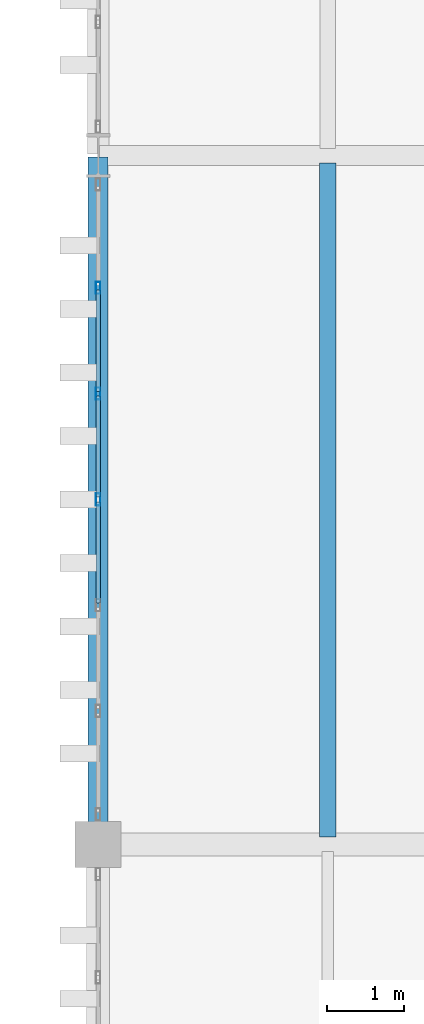
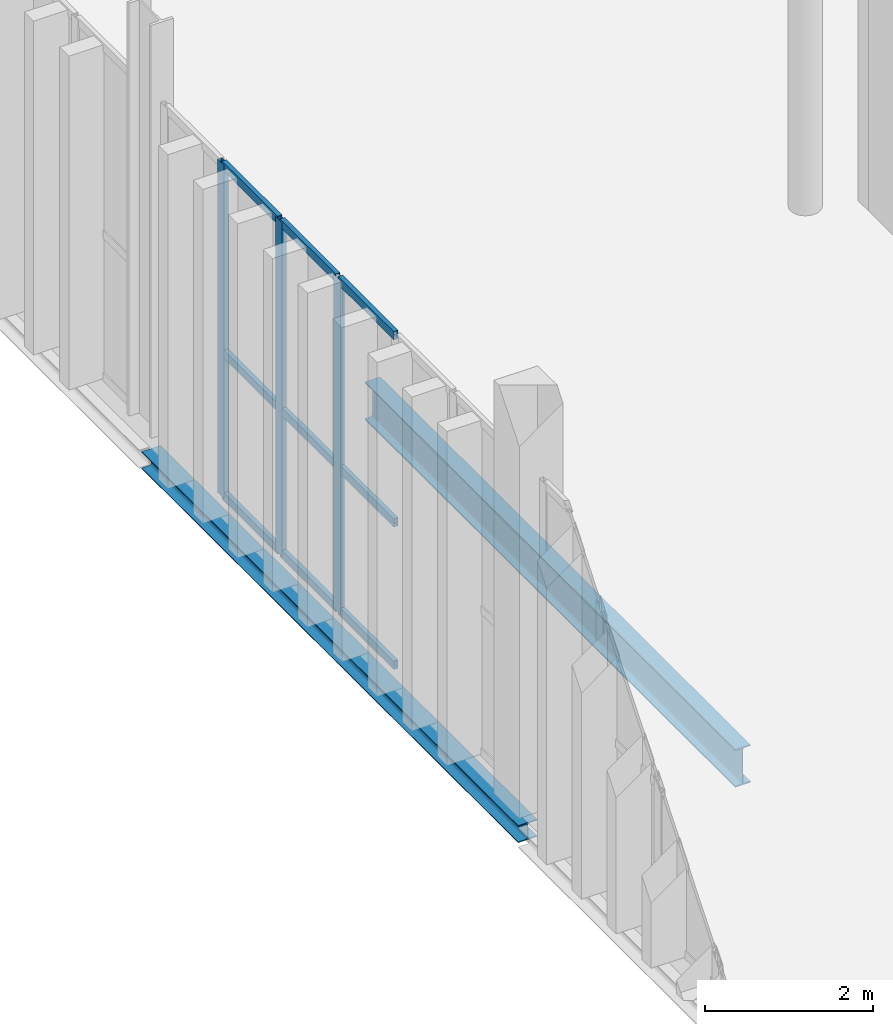
# One storey, part 144 of 237: 12 members, 2 beams, 1 element without a shape of its own.
"""IFC4 building model written with IfcOpenShell, lengths in metres."""

from ifc_helpers import new_model, si_unit, direction, frame, origin, origin_2d, place, context, subcontext, project, spatial, hollow_rectangle, i_section, extrude, material, layer, layer_set, material_profile, profile_set, type_object, element, aggregate, save


model = new_model("IFC4")

# Units and contexts
model_context = context("Model", 3, precision=1e-05, world=origin(), true_north=direction((0.0, 1.0)))
body_context = subcontext(model_context, "Body", "Model", "MODEL_VIEW")
ifc_project = project(units=[si_unit("LENGTHUNIT", "METRE"), si_unit("AREAUNIT", "SQUARE_METRE"), si_unit("VOLUMEUNIT", "CUBIC_METRE"), si_unit("PLANEANGLEUNIT", "RADIAN"), si_unit("MASSUNIT", "GRAM", prefix="KILO")], contexts=[model_context])

# Site, building, storey
site_placement = place(None, origin())
site = spatial("IfcSite", under=ifc_project, at=site_placement, CompositionType="ELEMENT")
building_placement = place(site_placement, origin())
building = spatial("IfcBuilding", under=site, at=building_placement, Name="Barlavento Convention Centre", CompositionType="ELEMENT")
storey_placement = place(building_placement, frame((0.0, 0.0, 12.0)))
storey = spatial("IfcBuildingStorey", under=building, at=storey_placement, Name="L02", CompositionType="ELEMENT", Elevation=12.0)

# Curtain wall, members
ifc_material_1 = material(Name="Powder-coated aluminium and Low-E glass", Category="aluminium")
ifc_layer = layer(ifc_material_1, 0.195068359375)
ifc_layer_set = layer_set([ifc_layer], Name="ARC-CW-PATIO-A")
curtain_wall_type = type_object("IfcCurtainWallType", Name="ARC-CW-PATIO-A", PredefinedType="NOTDEFINED", material=ifc_layer_set)
curtain_wall_placement = place(storey_placement, origin())
curtain_wall = element("IfcCurtainWall", 1, at=curtain_wall_placement, inside=storey, type_object=curtain_wall_type, Name="L02 unitised curtain wall CW11", PredefinedType="NOTDEFINED")
ifc_material_2 = material(Name="Powder-coated aluminium", Category="aluminium")
ifc_material_profile_1 = material_profile(ifc_material_2, hollow_rectangle(XDim=0.06005859375, YDim=0.159912109375, WallThickness=0.00390625, at=origin_2d()), Name="AL-MULL 60x160x4")
ifc_profile_set_1 = profile_set([ifc_material_profile_1], Name="Powder-coated aluminium")
member_type_1 = type_object("IfcMemberType", Name="ARC-CWM-60X160", PredefinedType="MULLION", material=ifc_profile_set_1)
member_1_placement = place(storey_placement, frame((171.0, 76.507080078125, 0.0), z_axis=(0.0, 0.0, 1.0), x_axis=(-1.0, 0.0, 0.0)))
member_1 = element("IfcMember", 2, at=member_1_placement, type_object=member_type_1, Name="CW11 mullion 4", PredefinedType="MULLION", context=body_context, shape_type="SweptSolid", body=[
    extrude(hollow_rectangle(XDim=0.06005859375, YDim=0.159912109375, WallThickness=0.00390625, at=origin_2d()), origin(), (0.0, 0.0, 1.0), 4.85009765625),
])
member_2_placement = place(storey_placement, frame((171.0, 77.889404296875, 0.0), z_axis=(0.0, 0.0, 1.0), x_axis=(-1.0, 0.0, 0.0)))
member_2 = element("IfcMember", 3, at=member_2_placement, type_object=member_type_1, Name="CW11 mullion 5", PredefinedType="MULLION", context=body_context, shape_type="SweptSolid", body=[
    extrude(hollow_rectangle(XDim=0.06005859375, YDim=0.159912109375, WallThickness=0.00390625, at=origin_2d()), origin(), (0.0, 0.0, 1.0), 4.85009765625),
])
member_3_placement = place(storey_placement, frame((171.0, 79.271728515625, 0.0), z_axis=(0.0, 0.0, 1.0), x_axis=(-1.0, 0.0, 0.0)))
member_3 = element("IfcMember", 4, at=member_3_placement, type_object=member_type_1, Name="CW11 mullion 6", PredefinedType="MULLION", context=body_context, shape_type="SweptSolid", body=[
    extrude(hollow_rectangle(XDim=0.06005859375, YDim=0.159912109375, WallThickness=0.00390625, at=origin_2d()), origin(), (0.0, 0.0, 1.0), 4.85009765625),
])
ifc_material_profile_2 = material_profile(ifc_material_2, hollow_rectangle(XDim=0.06005859375, YDim=0.1201171875, WallThickness=0.00390625, at=origin_2d()), Name="AL-TRAN 60x120x4")
ifc_profile_set_2 = profile_set([ifc_material_profile_2], Name="Powder-coated aluminium")
member_type_2 = type_object("IfcMemberType", Name="ARC-CWT-60X120", PredefinedType="USERDEFINED", material=ifc_profile_set_2)
member_4_placement = place(storey_placement, frame((171.0, 75.15478515625, 0.030029296875), z_axis=(0.0, 1.0, 0.0), x_axis=(-1.0, 0.0, 0.0)))
member_4 = element("IfcMember", 5, at=member_4_placement, type_object=member_type_2, Name="CW11 transom 3.1", ObjectType="TRANSOM", PredefinedType="USERDEFINED", context=body_context, shape_type="SweptSolid", body=[
    extrude(hollow_rectangle(XDim=0.06005859375, YDim=0.1201171875, WallThickness=0.00390625, at=origin_2d()), origin(), (0.0, 0.0, 1.0), 1.322265625),
])
member_5_placement = place(storey_placement, frame((171.0, 75.15478515625, 2.10009765625), z_axis=(0.0, 1.0, 0.0), x_axis=(-1.0, 0.0, 0.0)))
member_5 = element("IfcMember", 6, at=member_5_placement, type_object=member_type_2, Name="CW11 transom 3.2", ObjectType="TRANSOM", PredefinedType="USERDEFINED", context=body_context, shape_type="SweptSolid", body=[
    extrude(hollow_rectangle(XDim=0.06005859375, YDim=0.1201171875, WallThickness=0.00390625, at=origin_2d()), origin(), (0.0, 0.0, 1.0), 1.322265625),
])
member_6_placement = place(storey_placement, frame((171.0, 75.15478515625, 4.820068359375), z_axis=(0.0, 1.0, 0.0), x_axis=(-1.0, 0.0, 0.0)))
member_6 = element("IfcMember", 7, at=member_6_placement, type_object=member_type_2, Name="CW11 transom 3.3", ObjectType="TRANSOM", PredefinedType="USERDEFINED", context=body_context, shape_type="SweptSolid", body=[
    extrude(hollow_rectangle(XDim=0.06005859375, YDim=0.1201171875, WallThickness=0.00390625, at=origin_2d()), origin(), (0.0, 0.0, 1.0), 1.322265625),
])
member_7_placement = place(storey_placement, frame((171.0, 76.537109375, 0.030029296875), z_axis=(0.0, 1.0, 0.0), x_axis=(-1.0, 0.0, 0.0)))
member_7 = element("IfcMember", 8, at=member_7_placement, type_object=member_type_2, Name="CW11 transom 4.1", ObjectType="TRANSOM", PredefinedType="USERDEFINED", context=body_context, shape_type="SweptSolid", body=[
    extrude(hollow_rectangle(XDim=0.06005859375, YDim=0.1201171875, WallThickness=0.00390625, at=origin_2d()), origin(), (0.0, 0.0, 1.0), 1.322265625),
])
member_8_placement = place(storey_placement, frame((171.0, 76.537109375, 2.10009765625), z_axis=(0.0, 1.0, 0.0), x_axis=(-1.0, 0.0, 0.0)))
member_8 = element("IfcMember", 9, at=member_8_placement, type_object=member_type_2, Name="CW11 transom 4.2", ObjectType="TRANSOM", PredefinedType="USERDEFINED", context=body_context, shape_type="SweptSolid", body=[
    extrude(hollow_rectangle(XDim=0.06005859375, YDim=0.1201171875, WallThickness=0.00390625, at=origin_2d()), origin(), (0.0, 0.0, 1.0), 1.322265625),
])
member_9_placement = place(storey_placement, frame((171.0, 76.537109375, 4.820068359375), z_axis=(0.0, 1.0, 0.0), x_axis=(-1.0, 0.0, 0.0)))
member_9 = element("IfcMember", 10, at=member_9_placement, type_object=member_type_2, Name="CW11 transom 4.3", ObjectType="TRANSOM", PredefinedType="USERDEFINED", context=body_context, shape_type="SweptSolid", body=[
    extrude(hollow_rectangle(XDim=0.06005859375, YDim=0.1201171875, WallThickness=0.00390625, at=origin_2d()), origin(), (0.0, 0.0, 1.0), 1.322265625),
])
member_10_placement = place(storey_placement, frame((171.0, 77.91943359375, 0.030029296875), z_axis=(0.0, 1.0, 0.0), x_axis=(-1.0, 0.0, 0.0)))
member_10 = element("IfcMember", 11, at=member_10_placement, type_object=member_type_2, Name="CW11 transom 5.1", ObjectType="TRANSOM", PredefinedType="USERDEFINED", context=body_context, shape_type="SweptSolid", body=[
    extrude(hollow_rectangle(XDim=0.06005859375, YDim=0.1201171875, WallThickness=0.00390625, at=origin_2d()), origin(), (0.0, 0.0, 1.0), 1.322265625),
])
member_11_placement = place(storey_placement, frame((171.0, 77.91943359375, 2.10009765625), z_axis=(0.0, 1.0, 0.0), x_axis=(-1.0, 0.0, 0.0)))
member_11 = element("IfcMember", 12, at=member_11_placement, type_object=member_type_2, Name="CW11 transom 5.2", ObjectType="TRANSOM", PredefinedType="USERDEFINED", context=body_context, shape_type="SweptSolid", body=[
    extrude(hollow_rectangle(XDim=0.06005859375, YDim=0.1201171875, WallThickness=0.00390625, at=origin_2d()), origin(), (0.0, 0.0, 1.0), 1.322265625),
])
member_12_placement = place(storey_placement, frame((171.0, 77.91943359375, 4.820068359375), z_axis=(0.0, 1.0, 0.0), x_axis=(-1.0, 0.0, 0.0)))
member_12 = element("IfcMember", 13, at=member_12_placement, type_object=member_type_2, Name="CW11 transom 5.3", ObjectType="TRANSOM", PredefinedType="USERDEFINED", context=body_context, shape_type="SweptSolid", body=[
    extrude(hollow_rectangle(XDim=0.06005859375, YDim=0.1201171875, WallThickness=0.00390625, at=origin_2d()), origin(), (0.0, 0.0, 1.0), 1.322265625),
])
aggregate(curtain_wall, [member_1, member_2, member_3, member_4, member_5, member_6, member_7, member_8, member_9, member_10, member_11, member_12])

# Beams
ifc_material_3 = material(Name="Steel S355", Category="steel")
ifc_material_profile_3 = material_profile(ifc_material_3, i_section(OverallWidth=0.2099609375, OverallDepth=0.550048828125, WebThickness=0.010986328125, FlangeThickness=0.01708984375, FilletRadius=0.02392578125, at=origin_2d()), Name="IPE 550")
ifc_profile_set_3 = profile_set([ifc_material_profile_3], Name="Steel S355")
beam_type_1 = type_object("IfcBeamType", Name="STR-BM-JST-IPE550", PredefinedType="JOIST", material=ifc_profile_set_3)
beam_1_placement = place(storey_placement, frame((174.0, 72.094970703125, -0.635009765625), z_axis=(0.0, 1.0, 0.0), x_axis=(-1.0, 0.0, 0.0)))
element("IfcBeam", 14, at=beam_1_placement, inside=storey, type_object=beam_type_1, Name="L02 composite floor joist SJ01", PredefinedType="JOIST", context=body_context, shape_type="SweptSolid", body=[
    extrude(i_section(OverallWidth=0.2099609375, OverallDepth=0.550048828125, WebThickness=0.010986328125, FlangeThickness=0.01708984375, FilletRadius=0.02392578125, at=origin_2d()), origin(), (0.0, 0.0, 1.0), 8.81005859375),
])
ifc_material_profile_4 = material_profile(ifc_material_3, i_section(OverallWidth=0.260009765625, OverallDepth=0.25, WebThickness=0.007568359375, FlangeThickness=0.012451171875, FilletRadius=0.02392578125, at=origin_2d()), Name="HEA 260")
ifc_profile_set_4 = profile_set([ifc_material_profile_4], Name="Steel S355")
beam_type_2 = type_object("IfcBeamType", Name="STR-BM-SPN-HEA260", PredefinedType="SPANDREL", material=ifc_profile_set_4)
beam_2_placement = place(storey_placement, frame((171.0, 72.02001953125, -0.485107421875), z_axis=(0.0, 1.0, 0.0), x_axis=(-1.0, 0.0, 0.0)))
element("IfcBeam", 15, at=beam_2_placement, inside=storey, type_object=beam_type_2, Name="L02 grid girder SP04", PredefinedType="SPANDREL", context=body_context, shape_type="SweptSolid", body=[
    extrude(i_section(OverallWidth=0.260009765625, OverallDepth=0.25, WebThickness=0.007568359375, FlangeThickness=0.012451171875, FilletRadius=0.02392578125, at=origin_2d()), origin(), (0.0, 0.0, 1.0), 8.9599609375),
])

save(model, "model.ifc")
